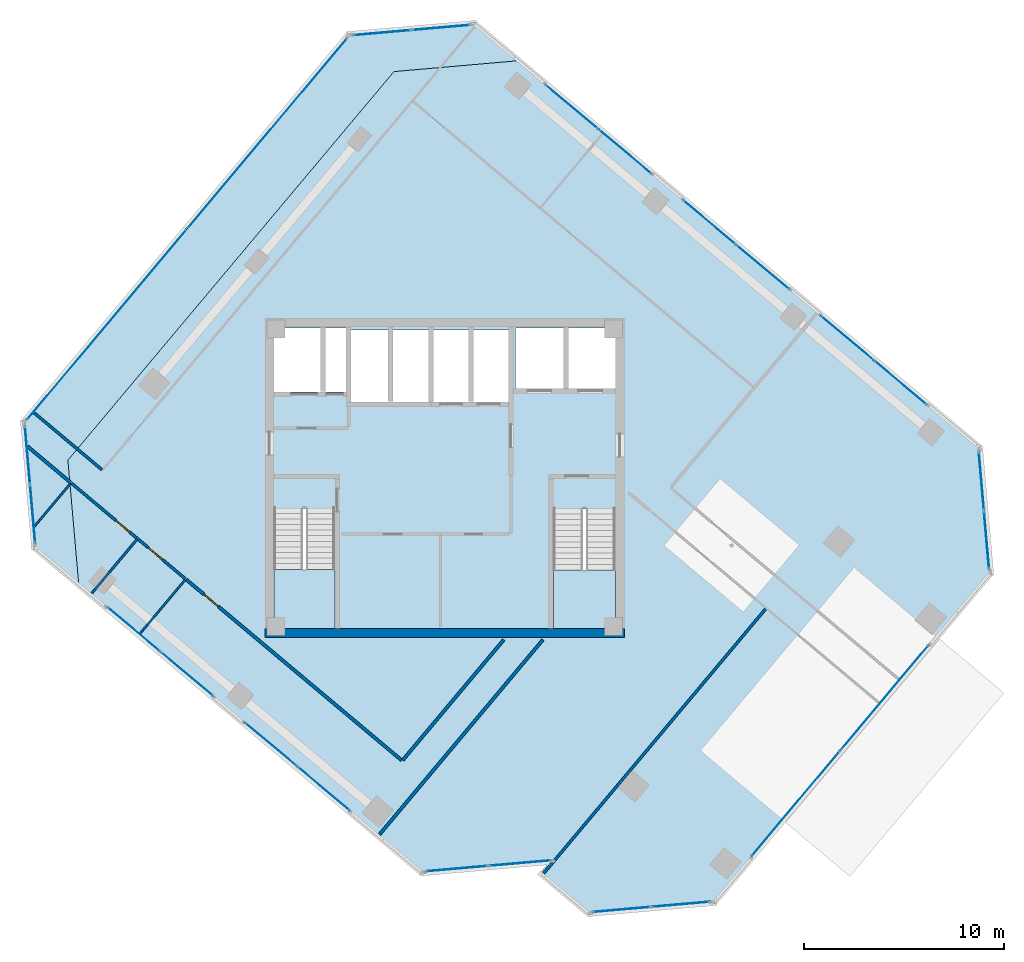
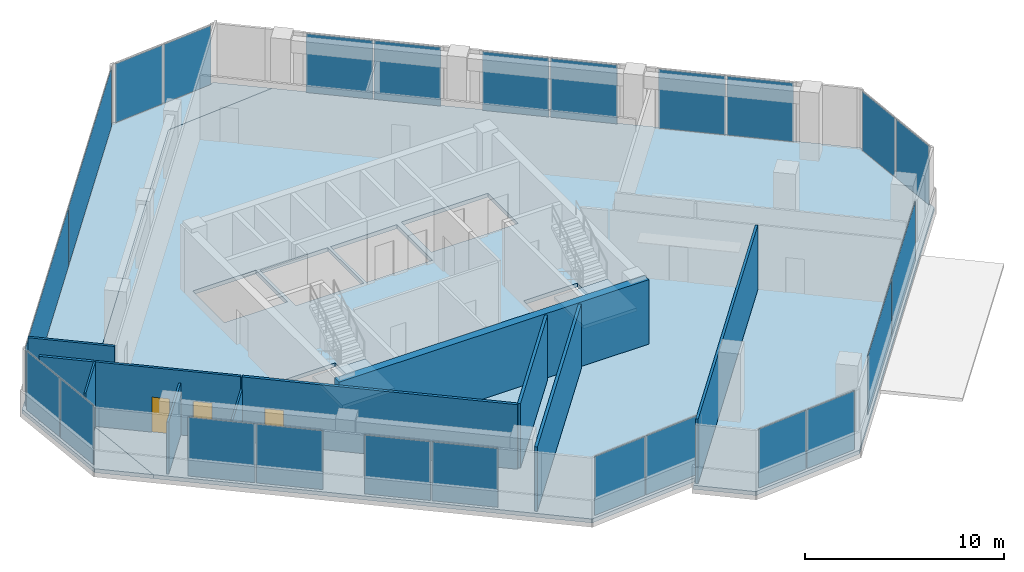
# One storey, part 11 of 17: 24 plates, 11 walls, 4 slabs, 3 doors, 3 openings, 14 elements without a shape of their own.
"""IFC4 building model written with IfcOpenShell, lengths in metres."""

from ifc_helpers import new_model, si_unit, direction, frame, frame_2d, origin, origin_2d, place, context, subcontext, project, spatial, polyline, rectangle, outline, extrude, source, transform, mapped, material, layer, layer_set, type_object, element, fill, aggregate, save


model = new_model("IFC4")

# Units and contexts
model_context = context("Model", 3, precision=1e-05, world=origin(), true_north=direction((0.0, 1.0)))
body_context = subcontext(model_context, "Body", "Model", "MODEL_VIEW")
ifc_project = project(units=[si_unit("LENGTHUNIT", "METRE"), si_unit("AREAUNIT", "SQUARE_METRE"), si_unit("VOLUMEUNIT", "CUBIC_METRE"), si_unit("PLANEANGLEUNIT", "RADIAN"), si_unit("MASSUNIT", "GRAM", prefix="KILO")], contexts=[model_context])

# Site, building, storey
site_placement = place(None, origin())
site = spatial("IfcSite", under=ifc_project, at=site_placement, CompositionType="ELEMENT")
building_placement = place(site_placement, origin())
building = spatial("IfcBuilding", under=site, at=building_placement, Name="Torre Montelarca", CompositionType="ELEMENT")
storey_placement = place(building_placement, frame((0.0, 0.0, 220.60009765625)))
storey = spatial("IfcBuildingStorey", under=building, at=storey_placement, Name="L49", CompositionType="ELEMENT", Elevation=220.60009765625)

# Slabs
ifc_material_1 = material(Name="Concrete C40/50", Category="concrete")
ifc_layer_1 = layer(ifc_material_1, 0.239990234375, Name="Concrete C40/50", Category="concrete")
ifc_layer_set_1 = layer_set([ifc_layer_1], Name="Concrete C40/50")
slab_type_1 = type_object("IfcSlabType", Name="SL-FLR-240", PredefinedType="FLOOR", material=ifc_layer_set_1)
slab_1_placement = place(storey_placement, frame((0.0, 0.0, -0.239990234375)))
element("IfcSlab", 1, at=slab_1_placement, inside=storey, type_object=slab_type_1, Name="L49 Structural Floor Slab", PredefinedType="FLOOR", context=body_context, shape_type="SweptSolid", body=[
    extrude(outline(polyline([(16.848876953125, 12.144287109375), (23.188720703125, 12.698974609375), (22.73876953125, 12.162841796875), (25.18994140625, 10.105712890625), (31.52978515625, 10.660400390625), (45.4140625, 27.20703125), (44.859375, 33.546875), (21.801513671875, 52.894775390625), (15.461669921875, 52.340087890625), (-0.865234375, 32.882568359375), (-0.310546875, 26.542724609375), (16.848876953125, 12.144287109375)]), holes=[polyline([(26.550048828125, 24.449951171875), (23.43994140625, 24.449951171875), (23.43994140625, 30.429931640625), (26.550048828125, 30.429931640625), (26.550048828125, 24.449951171875)]), polyline([(9.449951171875, 24.449951171875), (9.449951171875, 30.4599609375), (12.5, 30.4599609375), (12.5, 24.449951171875), (9.449951171875, 24.449951171875)]), polyline([(17.25, 35.800048828125), (13.300048828125, 35.800048828125), (13.300048828125, 39.39990234375), (17.25, 39.39990234375), (17.25, 35.800048828125)]), polyline([(21.25, 39.39990234375), (21.25, 35.800048828125), (17.39990234375, 35.800048828125), (17.39990234375, 39.39990234375), (21.25, 39.39990234375)]), polyline([(13.1201171875, 36.300048828125), (9.449951171875, 36.300048828125), (9.449951171875, 39.5), (13.1201171875, 39.5), (13.1201171875, 36.300048828125)]), polyline([(26.60009765625, 36.449951171875), (21.550048828125, 36.449951171875), (21.550048828125, 39.5), (26.60009765625, 39.5), (26.60009765625, 36.449951171875)])]), origin(), (0.0, 0.0, 1.0), 0.239990234375),
])
slab_2_placement = place(storey_placement, frame((0.0, 0.0, -0.239990234375)))
element("IfcSlab", 2, at=slab_2_placement, inside=storey, type_object=slab_type_1, Name="L49 Sliding Tray Winter Garden Floor Slab W1", PredefinedType="FLOOR", context=body_context, shape_type="SweptSolid", body=[
    extrude(outline(polyline([(-0.310546875, 26.542724609375), (-0.865234375, 32.882568359375), (15.461669921875, 52.340087890625), (21.801513671875, 52.894775390625), (19.503173828125, 54.822998046875), (13.16357421875, 54.268310546875), (-3.163330078125, 34.810791015625), (-2.608642578125, 28.47119140625), (-0.310546875, 26.542724609375)])), origin(), (0.0, 0.0, 1.0), 0.239990234375),
])

# Stair, slab
stair_type_1 = type_object("IfcStairType", Name="ST-CORE-ST1", PredefinedType="HALF_TURN_STAIR", material=ifc_material_1)
stair_1_placement = place(storey_placement, origin())
stair_1 = element("IfcStair", 3, at=stair_1_placement, inside=storey, type_object=stair_type_1, Name="L49 Protected Exit Stair ST1", PredefinedType="HALF_TURN_STAIR")
ifc_layer_2 = layer(ifc_material_1, 0.199951171875, Name="Concrete C40/50", Category="concrete")
ifc_layer_set_2 = layer_set([ifc_layer_2], Name="Concrete C40/50")
slab_type_2 = type_object("IfcSlabType", Name="SL-ST-LAND-ST1", PredefinedType="LANDING", material=ifc_layer_set_2)
slab_3_placement = place(storey_placement, frame((0.0, 0.0, 1.89990234375)))
slab_3 = element("IfcSlab", 4, at=slab_3_placement, type_object=slab_type_2, Name="ST1 landing 1", PredefinedType="LANDING", context=body_context, shape_type="SweptSolid", body=[
    extrude(outline(polyline([(9.449951171875, 27.419921875), (9.449951171875, 24.449951171875), (12.5, 24.449951171875), (12.5, 27.419921875), (9.449951171875, 27.419921875)])), origin(), (0.0, 0.0, 1.0), 0.199951171875),
])
aggregate(stair_1, [slab_3])

stair_type_2 = type_object("IfcStairType", Name="ST-CORE-ST2", PredefinedType="HALF_TURN_STAIR", material=ifc_material_1)
stair_2_placement = place(storey_placement, origin())
stair_2 = element("IfcStair", 5, at=stair_2_placement, inside=storey, type_object=stair_type_2, Name="L49 Protected Exit Stair ST2", PredefinedType="HALF_TURN_STAIR")
ifc_layer_3 = layer(ifc_material_1, 0.199951171875, Name="Concrete C40/50", Category="concrete")
ifc_layer_set_3 = layer_set([ifc_layer_3], Name="Concrete C40/50")
slab_type_3 = type_object("IfcSlabType", Name="SL-ST-LAND-ST2", PredefinedType="LANDING", material=ifc_layer_set_3)
slab_4_placement = place(storey_placement, frame((0.0, 0.0, 1.89990234375)))
slab_4 = element("IfcSlab", 6, at=slab_4_placement, type_object=slab_type_3, Name="ST2 landing 1", PredefinedType="LANDING", context=body_context, shape_type="SweptSolid", body=[
    extrude(outline(polyline([(23.43994140625, 27.389892578125), (23.43994140625, 24.449951171875), (26.550048828125, 24.449951171875), (26.550048828125, 27.389892578125), (23.43994140625, 27.389892578125)])), origin(), (0.0, 0.0, 1.0), 0.199951171875),
])
aggregate(stair_2, [slab_4])

# Curtain wall, plates
ifc_material_2 = material(Name="Insulated low-E laminated glass", Category="glass")
curtain_wall_type = type_object("IfcCurtainWallType", Name="CW-SYS-Z3", PredefinedType="USERDEFINED", material=ifc_material_2)
curtain_wall_1_placement = place(storey_placement, origin())
curtain_wall_1 = element("IfcCurtainWall", 7, at=curtain_wall_1_placement, inside=storey, type_object=curtain_wall_type, Name="L49 Curtain Wall Run CW-T3-L49-E01-B1", ObjectType="UNITISED GLAZING", PredefinedType="USERDEFINED")
ifc_layer_4 = layer(ifc_material_2, 0.031982421875, Name="Insulated low-E laminated glass", Category="glass")
ifc_layer_set_4 = layer_set([ifc_layer_4], Name="Insulated low-E laminated glass")
plate_type = type_object("IfcPlateType", Name="CWP-GLZ-32", PredefinedType="CURTAIN_PANEL", material=ifc_layer_set_4)
shared_shape_1 = source(origin(), body_context, "Body", "SweptSolid", [
    extrude(rectangle(XDim=3.407470703125, YDim=0.031982421875, at=origin_2d()), origin(), (0.0, 0.0, 1.0), 3.610107421875),
])
plate_1_placement = place(storey_placement, frame((2.422607421875, 24.419189453125, 0.0546875), z_axis=(0.0, 0.0, 1.0), x_axis=(0.766043072274, -0.642789243392, 0.0)))
plate_1 = element("IfcPlate", 8, at=plate_1_placement, type_object=plate_type, Name="CW panel 1.1", PredefinedType="CURTAIN_PANEL", context=body_context, shape_type="MappedRepresentation", body=[
    mapped(shared_shape_1, transform((0.0, 0.0, 0.0), scale=1.0)),
])
plate_2_placement = place(storey_placement, frame((5.09033203125, 22.1806640625, 0.0546875), z_axis=(0.0, 0.0, 1.0), x_axis=(0.766043072274, -0.642789243392, 0.0)))
plate_2 = element("IfcPlate", 9, at=plate_2_placement, type_object=plate_type, Name="CW panel 2.1", PredefinedType="CURTAIN_PANEL", context=body_context, shape_type="MappedRepresentation", body=[
    mapped(shared_shape_1, transform((0.0, 0.0, 0.0), scale=1.0)),
])
aggregate(curtain_wall_1, [plate_1, plate_2])

curtain_wall_2_placement = place(storey_placement, origin())
curtain_wall_2 = element("IfcCurtainWall", 10, at=curtain_wall_2_placement, inside=storey, type_object=curtain_wall_type, Name="L49 Curtain Wall Run CW-T3-L49-E08-B1", ObjectType="UNITISED GLAZING", PredefinedType="USERDEFINED")
plate_3_placement = place(storey_placement, frame((40.823974609375, 36.76318359375, 0.0546875), z_axis=(0.0, 0.0, 1.0), x_axis=(-0.766043072274, 0.642789243392, 0.0)))
plate_3 = element("IfcPlate", 11, at=plate_3_placement, type_object=plate_type, Name="CW panel 1.1", PredefinedType="CURTAIN_PANEL", context=body_context, shape_type="MappedRepresentation", body=[
    mapped(shared_shape_1, transform((0.0, 0.0, 0.0), scale=1.0)),
])
plate_4_placement = place(storey_placement, frame((38.15625, 39.001708984375, 0.0546875), z_axis=(0.0, 0.0, 1.0), x_axis=(-0.766043072274, 0.642789243392, 0.0)))
plate_4 = element("IfcPlate", 12, at=plate_4_placement, type_object=plate_type, Name="CW panel 2.1", PredefinedType="CURTAIN_PANEL", context=body_context, shape_type="MappedRepresentation", body=[
    mapped(shared_shape_1, transform((0.0, 0.0, 0.0), scale=1.0)),
])
aggregate(curtain_wall_2, [plate_3, plate_4])

curtain_wall_3_placement = place(storey_placement, origin())
curtain_wall_3 = element("IfcCurtainWall", 13, at=curtain_wall_3_placement, inside=storey, type_object=curtain_wall_type, Name="L49 Curtain Wall Run CW-T3-L49-E08-B2", ObjectType="UNITISED GLAZING", PredefinedType="USERDEFINED")
plate_5_placement = place(storey_placement, frame((33.929443359375, 42.54833984375, 0.0546875), z_axis=(0.0, 0.0, 1.0), x_axis=(-0.766043072274, 0.642789243392, 0.0)))
plate_5 = element("IfcPlate", 14, at=plate_5_placement, type_object=plate_type, Name="CW panel 1.1", PredefinedType="CURTAIN_PANEL", context=body_context, shape_type="MappedRepresentation", body=[
    mapped(shared_shape_1, transform((0.0, 0.0, 0.0), scale=1.0)),
])
plate_6_placement = place(storey_placement, frame((31.26171875, 44.786865234375, 0.0546875), z_axis=(0.0, 0.0, 1.0), x_axis=(-0.766043072274, 0.642789243392, 0.0)))
plate_6 = element("IfcPlate", 15, at=plate_6_placement, type_object=plate_type, Name="CW panel 2.1", PredefinedType="CURTAIN_PANEL", context=body_context, shape_type="MappedRepresentation", body=[
    mapped(shared_shape_1, transform((0.0, 0.0, 0.0), scale=1.0)),
])
aggregate(curtain_wall_3, [plate_5, plate_6])

curtain_wall_4_placement = place(storey_placement, origin())
curtain_wall_4 = element("IfcCurtainWall", 16, at=curtain_wall_4_placement, inside=storey, type_object=curtain_wall_type, Name="L49 Curtain Wall Run CW-T3-L49-E08-B3", ObjectType="UNITISED GLAZING", PredefinedType="USERDEFINED")
plate_7_placement = place(storey_placement, frame((27.03515625, 48.333251953125, 0.0546875), z_axis=(0.0, 0.0, 1.0), x_axis=(-0.766043072274, 0.642789243392, 0.0)))
plate_7 = element("IfcPlate", 17, at=plate_7_placement, type_object=plate_type, Name="CW panel 1.1", PredefinedType="CURTAIN_PANEL", context=body_context, shape_type="MappedRepresentation", body=[
    mapped(shared_shape_1, transform((0.0, 0.0, 0.0), scale=1.0)),
])
plate_8_placement = place(storey_placement, frame((24.367431640625, 50.57177734375, 0.0546875), z_axis=(0.0, 0.0, 1.0), x_axis=(-0.766043072274, 0.642789243392, 0.0)))
plate_8 = element("IfcPlate", 18, at=plate_8_placement, type_object=plate_type, Name="CW panel 2.1", PredefinedType="CURTAIN_PANEL", context=body_context, shape_type="MappedRepresentation", body=[
    mapped(shared_shape_1, transform((0.0, 0.0, 0.0), scale=1.0)),
])
aggregate(curtain_wall_4, [plate_7, plate_8])

curtain_wall_5_placement = place(storey_placement, origin())
curtain_wall_5 = element("IfcCurtainWall", 19, at=curtain_wall_5_placement, inside=storey, type_object=curtain_wall_type, Name="L49 Curtain Wall Run CW-T3-L49-E01-B2", ObjectType="UNITISED GLAZING", PredefinedType="USERDEFINED")
shared_shape_2 = source(origin(), body_context, "Body", "SweptSolid", [
    extrude(rectangle(XDim=3.3701171875, YDim=0.031982421875, at=origin_2d()), origin(), (0.0, 0.0, 1.0), 3.610107421875),
])
plate_9_placement = place(storey_placement, frame((9.302734375, 18.64599609375, 0.0546875), z_axis=(0.0, 0.0, 1.0), x_axis=(0.766045580072, -0.642786254716, 0.0)))
plate_9 = element("IfcPlate", 20, at=plate_9_placement, type_object=plate_type, Name="CW panel 1.1", PredefinedType="CURTAIN_PANEL", context=body_context, shape_type="MappedRepresentation", body=[
    mapped(shared_shape_2, transform((0.0, 0.0, 0.0), scale=1.0)),
])
plate_10_placement = place(storey_placement, frame((11.941650390625, 16.431640625, 0.0546875), z_axis=(0.0, 0.0, 1.0), x_axis=(0.766045580072, -0.642786254716, 0.0)))
plate_10 = element("IfcPlate", 21, at=plate_10_placement, type_object=plate_type, Name="CW panel 2.1", PredefinedType="CURTAIN_PANEL", context=body_context, shape_type="MappedRepresentation", body=[
    mapped(shared_shape_2, transform((0.0, 0.0, 0.0), scale=1.0)),
])
aggregate(curtain_wall_5, [plate_9, plate_10])

curtain_wall_6_placement = place(storey_placement, origin())
curtain_wall_6 = element("IfcCurtainWall", 22, at=curtain_wall_6_placement, inside=storey, type_object=curtain_wall_type, Name="L49 Curtain Wall Run CW-T3-L49-E02-B1", ObjectType="UNITISED GLAZING", PredefinedType="USERDEFINED")
shared_shape_3 = source(origin(), body_context, "Body", "SweptSolid", [
    extrude(rectangle(XDim=3.08740234375, YDim=0.031982421875, at=origin_2d()), origin(), (0.0, 0.0, 1.0), 3.610107421875),
])
plate_11_placement = place(storey_placement, frame((18.615234375, 12.429443359375, 0.0546875), z_axis=(0.0, 0.0, 1.0), x_axis=(0.996191766808, 0.087189240987, 0.0)))
plate_11 = element("IfcPlate", 23, at=plate_11_placement, type_object=plate_type, Name="CW panel 1.1", PredefinedType="CURTAIN_PANEL", context=body_context, shape_type="MappedRepresentation", body=[
    mapped(shared_shape_3, transform((0.0, 0.0, 0.0), scale=1.0)),
])
plate_12_placement = place(storey_placement, frame((21.765625, 12.705078125, 0.0546875), z_axis=(0.0, 0.0, 1.0), x_axis=(0.996191766808, 0.087189240987, 0.0)))
plate_12 = element("IfcPlate", 24, at=plate_12_placement, type_object=plate_type, Name="CW panel 2.1", PredefinedType="CURTAIN_PANEL", context=body_context, shape_type="MappedRepresentation", body=[
    mapped(shared_shape_3, transform((0.0, 0.0, 0.0), scale=1.0)),
])
aggregate(curtain_wall_6, [plate_11, plate_12])

curtain_wall_7_placement = place(storey_placement, origin())
curtain_wall_7 = element("IfcCurtainWall", 25, at=curtain_wall_7_placement, inside=storey, type_object=curtain_wall_type, Name="L49 Curtain Wall Run CW-T3-L49-E05-B1", ObjectType="UNITISED GLAZING", PredefinedType="USERDEFINED")
shared_shape_4 = source(origin(), body_context, "Body", "SweptSolid", [
    extrude(rectangle(XDim=2.903564453125, YDim=0.031982421875, at=origin_2d()), origin(), (0.0, 0.0, 1.0), 3.610107421875),
])
plate_13_placement = place(storey_placement, frame((26.864990234375, 10.3828125, 0.0546875), z_axis=(0.0, 0.0, 1.0), x_axis=(0.996192475817, 0.087181139731, 0.0)))
plate_13 = element("IfcPlate", 26, at=plate_13_placement, type_object=plate_type, Name="CW panel 1.1", PredefinedType="CURTAIN_PANEL", context=body_context, shape_type="MappedRepresentation", body=[
    mapped(shared_shape_4, transform((0.0, 0.0, 0.0), scale=1.0)),
])
plate_14_placement = place(storey_placement, frame((29.832275390625, 10.642578125, 0.0546875), z_axis=(0.0, 0.0, 1.0), x_axis=(0.996192475817, 0.087181139731, 0.0)))
plate_14 = element("IfcPlate", 27, at=plate_14_placement, type_object=plate_type, Name="CW panel 2.1", PredefinedType="CURTAIN_PANEL", context=body_context, shape_type="MappedRepresentation", body=[
    mapped(shared_shape_4, transform((0.0, 0.0, 0.0), scale=1.0)),
])
aggregate(curtain_wall_7, [plate_13, plate_14])

curtain_wall_8_placement = place(storey_placement, origin())
curtain_wall_8 = element("IfcCurtainWall", 28, at=curtain_wall_8_placement, inside=storey, type_object=curtain_wall_type, Name="L49 Curtain Wall Run CW-T3-L49-E07-B1", ObjectType="UNITISED GLAZING", PredefinedType="USERDEFINED")
plate_15_placement = place(storey_placement, frame((45.136962890625, 28.882080078125, 0.0546875), z_axis=(0.0, 0.0, 1.0), x_axis=(-0.087182579501, 0.996192349816, 0.0)))
plate_15 = element("IfcPlate", 29, at=plate_15_placement, type_object=plate_type, Name="CW panel 1.1", PredefinedType="CURTAIN_PANEL", context=body_context, shape_type="MappedRepresentation", body=[
    mapped(shared_shape_4, transform((0.0, 0.0, 0.0), scale=1.0)),
])
plate_16_placement = place(storey_placement, frame((44.877197265625, 31.84912109375, 0.0546875), z_axis=(0.0, 0.0, 1.0), x_axis=(-0.087182579501, 0.996192349816, 0.0)))
plate_16 = element("IfcPlate", 30, at=plate_16_placement, type_object=plate_type, Name="CW panel 2.1", PredefinedType="CURTAIN_PANEL", context=body_context, shape_type="MappedRepresentation", body=[
    mapped(shared_shape_4, transform((0.0, 0.0, 0.0), scale=1.0)),
])
aggregate(curtain_wall_8, [plate_15, plate_16])

curtain_wall_9_placement = place(storey_placement, origin())
curtain_wall_9 = element("IfcCurtainWall", 31, at=curtain_wall_9_placement, inside=storey, type_object=curtain_wall_type, Name="L49 Curtain Wall Run CW-T3-L49-E09-B1", ObjectType="UNITISED GLAZING", PredefinedType="USERDEFINED")
plate_17_placement = place(storey_placement, frame((17.828369140625, 54.546142578125, 0.0546875), z_axis=(0.0, 0.0, 1.0), x_axis=(-0.996192349816, -0.087182579501, 0.0)))
plate_17 = element("IfcPlate", 32, at=plate_17_placement, type_object=plate_type, Name="CW panel 1.1", PredefinedType="CURTAIN_PANEL", context=body_context, shape_type="MappedRepresentation", body=[
    mapped(shared_shape_4, transform((0.0, 0.0, 0.0), scale=1.0)),
])
plate_18_placement = place(storey_placement, frame((14.861083984375, 54.286376953125, 0.0546875), z_axis=(0.0, 0.0, 1.0), x_axis=(-0.996192349816, -0.087182579501, 0.0)))
plate_18 = element("IfcPlate", 33, at=plate_18_placement, type_object=plate_type, Name="CW panel 2.1", PredefinedType="CURTAIN_PANEL", context=body_context, shape_type="MappedRepresentation", body=[
    mapped(shared_shape_4, transform((0.0, 0.0, 0.0), scale=1.0)),
])
aggregate(curtain_wall_9, [plate_17, plate_18])

curtain_wall_10_placement = place(storey_placement, origin())
curtain_wall_10 = element("IfcCurtainWall", 34, at=curtain_wall_10_placement, inside=storey, type_object=curtain_wall_type, Name="L49 Curtain Wall Run CW-T3-L49-E11-B1", ObjectType="UNITISED GLAZING", PredefinedType="USERDEFINED")
plate_19_placement = place(storey_placement, frame((-2.88623046875, 33.135986328125, 0.0546875), z_axis=(0.0, 0.0, 1.0), x_axis=(0.087166127681, -0.996193789473, 0.0)))
plate_19 = element("IfcPlate", 35, at=plate_19_placement, type_object=plate_type, Name="CW panel 1.1", PredefinedType="CURTAIN_PANEL", context=body_context, shape_type="MappedRepresentation", body=[
    mapped(shared_shape_4, transform((0.0, 0.0, 0.0), scale=1.0)),
])
plate_20_placement = place(storey_placement, frame((-2.626708984375, 30.168701171875, 0.0546875), z_axis=(0.0, 0.0, 1.0), x_axis=(0.087166127681, -0.996193789473, 0.0)))
plate_20 = element("IfcPlate", 36, at=plate_20_placement, type_object=plate_type, Name="CW panel 2.1", PredefinedType="CURTAIN_PANEL", context=body_context, shape_type="MappedRepresentation", body=[
    mapped(shared_shape_4, transform((0.0, 0.0, 0.0), scale=1.0)),
])
aggregate(curtain_wall_10, [plate_19, plate_20])

curtain_wall_11_placement = place(storey_placement, origin())
curtain_wall_11 = element("IfcCurtainWall", 37, at=curtain_wall_11_placement, inside=storey, type_object=curtain_wall_type, Name="L49 Curtain Wall Run CW-T3-L49-E06-B1", ObjectType="UNITISED GLAZING", PredefinedType="USERDEFINED")
shared_shape_5 = source(origin(), body_context, "Body", "SweptSolid", [
    extrude(rectangle(XDim=6.83251953125, YDim=0.031982421875, at=origin_2d()), origin(), (0.0, 0.0, 1.0), 3.610107421875),
])
plate_21_placement = place(storey_placement, frame((35.57373046875, 15.68212890625, 0.0546875), z_axis=(0.0, 0.0, 1.0), x_axis=(0.642785255815, 0.766046418245, 0.0)))
plate_21 = element("IfcPlate", 38, at=plate_21_placement, type_object=plate_type, Name="CW panel 1.1", PredefinedType="CURTAIN_PANEL", context=body_context, shape_type="MappedRepresentation", body=[
    mapped(shared_shape_5, transform((0.0, 0.0, 0.0), scale=1.0)),
])
plate_22_placement = place(storey_placement, frame((40.013671875, 20.9736328125, 0.0546875), z_axis=(0.0, 0.0, 1.0), x_axis=(0.642785255815, 0.766046418245, 0.0)))
plate_22 = element("IfcPlate", 39, at=plate_22_placement, type_object=plate_type, Name="CW panel 2.1", PredefinedType="CURTAIN_PANEL", context=body_context, shape_type="MappedRepresentation", body=[
    mapped(shared_shape_5, transform((0.0, 0.0, 0.0), scale=1.0)),
])
aggregate(curtain_wall_11, [plate_21, plate_22])

curtain_wall_12_placement = place(storey_placement, origin())
curtain_wall_12 = element("IfcCurtainWall", 40, at=curtain_wall_12_placement, inside=storey, type_object=curtain_wall_type, Name="L49 Curtain Wall Run CW-T3-L49-E10-B1", ObjectType="UNITISED GLAZING", PredefinedType="USERDEFINED")
shared_shape_6 = source(origin(), body_context, "Body", "SweptSolid", [
    extrude(rectangle(XDim=12.421630859375, YDim=0.031982421875, at=origin_2d()), origin(), (0.0, 0.0, 1.0), 3.610107421875),
])
plate_23_placement = place(storey_placement, frame((9.115966796875, 49.24267578125, 0.0546875), z_axis=(0.0, 0.0, 1.0), x_axis=(-0.642788408931, -0.766043772472, 0.0)))
plate_23 = element("IfcPlate", 41, at=plate_23_placement, type_object=plate_type, Name="CW panel 1.1", PredefinedType="CURTAIN_PANEL", context=body_context, shape_type="MappedRepresentation", body=[
    mapped(shared_shape_6, transform((0.0, 0.0, 0.0), scale=1.0)),
])
plate_24_placement = place(storey_placement, frame((1.083251953125, 39.669677734375, 0.0546875), z_axis=(0.0, 0.0, 1.0), x_axis=(-0.642788408931, -0.766043772472, 0.0)))
plate_24 = element("IfcPlate", 42, at=plate_24_placement, type_object=plate_type, Name="CW panel 2.1", PredefinedType="CURTAIN_PANEL", context=body_context, shape_type="MappedRepresentation", body=[
    mapped(shared_shape_6, transform((0.0, 0.0, 0.0), scale=1.0)),
])
aggregate(curtain_wall_12, [plate_23, plate_24])

# Walls
ifc_material_3 = material(Name="Concrete C55/67", Category="concrete")
ifc_layer_5 = layer(ifc_material_3, 0.449951171875, Name="Concrete C55/67", Category="concrete")
ifc_layer_set_5 = layer_set([ifc_layer_5], Name="Concrete C55/67")
wall_type_1 = type_object("IfcWallType", Name="CW-SHEAR-450", PredefinedType="SHEAR", material=ifc_layer_set_5)
wall_1_placement = place(storey_placement, frame((9.0, 24.22509765625, 0.0), z_axis=(0.0, 0.0, 1.0), x_axis=(1.0, 0.0, 0.0)))
element("IfcWall", 43, at=wall_1_placement, inside=storey, type_object=wall_type_1, Name="L49 Core Shear Wall CW-S1", PredefinedType="SHEAR", context=body_context, shape_type="SweptSolid", body=[
    extrude(rectangle(XDim=18.0, YDim=0.449951171875, at=frame_2d((9.0, 0.0))), origin(), (0.0, 0.0, 1.0), 3.9599609375),
])
ifc_material_4 = material(Name="Gypsum plasterboard on steel stud", Category="steel")
ifc_layer_6 = layer(ifc_material_4, 0.159912109375, Name="Gypsum plasterboard on steel stud", Category="steel")
ifc_layer_set_6 = layer_set([ifc_layer_6], Name="Gypsum plasterboard on steel stud")
wall_type_2 = type_object("IfcWallType", Name="PW-FIRE-160", PredefinedType="PARTITIONING", material=ifc_layer_set_6)
wall_2_placement = place(storey_placement, frame((-2.885986328125, 33.572998046875, 0.0), z_axis=(0.0, 0.0, 1.0), x_axis=(0.766060058075, -0.642769000048, 0.0)))
element("IfcWall", 44, at=wall_2_placement, inside=storey, type_object=wall_type_2, Name="L49 Interior Partition W-L49-SOCCW", PredefinedType="PARTITIONING", context=body_context, shape_type="SweptSolid", body=[
    extrude(rectangle(XDim=2.802001953125, YDim=0.159912109375, at=frame_2d((1.40087890625, 0.0))), origin(), (0.0, 0.0, 1.0), 3.9599609375),
])

# Wall, opening, door
wall_3_placement = place(storey_placement, frame((5.06689453125, 26.899658203125, 0.0), z_axis=(0.0, 0.0, 1.0), x_axis=(0.766049317662, -0.642781800387, 0.0)))
wall_3 = element("IfcWall", 45, at=wall_3_placement, inside=storey, type_object=wall_type_2, Name="L49 Interior Partition W-L49-SOCCN", PredefinedType="PARTITIONING", context=body_context, shape_type="SweptSolid", body=[
    extrude(rectangle(XDim=14.070068359375, YDim=0.159912109375, at=frame_2d((7.03515625, 0.0))), origin(), (0.0, 0.0, 1.0), 3.9599609375),
])
opening_1_placement = place(wall_3_placement, frame((1.14990234375, 0.0, 0.0)))
opening_1 = element("IfcOpeningElement", 46, at=opening_1_placement, cuts=wall_3, Name="Opening FD-095", PredefinedType="OPENING", context=body_context, shape_type="SweptSolid", body=[
    extrude(rectangle(XDim=0.949951171875, YDim=2.14990234375, at=frame_2d((0.47509765625, 1.074951171875))), frame((0.0, 0.08984375, 0.0), z_axis=(0.0, -1.0, 0.0), x_axis=(1.0, 0.0, 0.0)), (0.0, 0.0, 1.0), 0.179931640625),
])
ifc_material_5 = material(Name="Timber fire-rated room door", Category="wood")
door_type_1 = type_object("IfcDoorType", Name="DR-FIRE-095", OperationType="NOTDEFINED", PredefinedType="DOOR", material=ifc_material_5)
shared_shape_7 = source(origin(), body_context, "Body", "SweptSolid", [
    extrude(rectangle(XDim=0.949951171875, YDim=2.14990234375, at=frame_2d((0.47509765625, 1.074951171875))), frame((0.0, 0.02490234375, 0.0), z_axis=(0.0, -1.0, 0.0), x_axis=(1.0, 0.0, 0.0)), (0.0, 0.0, 1.0), 0.050048828125),
])
door_1_placement = place(opening_1_placement, origin())
door_1 = element("IfcDoor", 47, at=door_1_placement, inside=storey, type_object=door_type_1, Name="L49 Interior Door 06", OperationType="SINGLE_SWING_RIGHT", OverallHeight=2.14990234375, OverallWidth=0.949951171875, PredefinedType="DOOR", context=body_context, shape_type="MappedRepresentation", body=[
    mapped(shared_shape_7, transform((0.0, 0.0, 0.0), scale=1.0)),
])
fill(opening_1, door_1)

# Walls
wall_4_placement = place(storey_placement, frame((15.901611328125, 17.860595703125, 0.0), z_axis=(0.0, 0.0, 1.0), x_axis=(0.642774387864, 0.766055537351, 0.0)))
element("IfcWall", 48, at=wall_4_placement, inside=storey, type_object=wall_type_2, Name="L49 Interior Partition W-L49-SOCCW3", PredefinedType="PARTITIONING", context=body_context, shape_type="SweptSolid", body=[
    extrude(rectangle(XDim=7.869873046875, YDim=0.159912109375, at=frame_2d((3.93505859375, 0.0))), origin(), (0.0, 0.0, 1.0), 3.9599609375),
])
wall_5_placement = place(storey_placement, frame((14.742919921875, 14.146240234375, 0.0), z_axis=(0.0, 0.0, 1.0), x_axis=(0.642789996784, 0.7660424401, 0.0)))
element("IfcWall", 49, at=wall_5_placement, inside=storey, type_object=wall_type_2, Name="L49 Interior Partition W-L49-ECS", PredefinedType="PARTITIONING", context=body_context, shape_type="SweptSolid", body=[
    extrude(rectangle(XDim=12.71875, YDim=0.159912109375, at=frame_2d((6.359375, 0.0))), origin(), (0.0, 0.0, 1.0), 3.9599609375),
])
ifc_material_6 = material(Name="Acoustic laminated glass partition", Category="glass")
ifc_layer_7 = layer(ifc_material_6, 0.10009765625, Name="Acoustic laminated glass partition", Category="glass")
ifc_layer_set_7 = layer_set([ifc_layer_7], Name="Acoustic laminated glass partition")
wall_type_3 = type_object("IfcWallType", Name="PW-GLAZ-100", PredefinedType="PARTITIONING", material=ifc_layer_set_7)
wall_6_placement = place(storey_placement, frame((-2.535888671875, 29.569091796875, 0.0), z_axis=(0.0, 0.0, 1.0), x_axis=(0.642777228426, 0.766053153911, 0.0)))
element("IfcWall", 50, at=wall_6_placement, inside=storey, type_object=wall_type_3, Name="L49 Interior Partition W-L49-WCW", PredefinedType="PARTITIONING", context=body_context, shape_type="SweptSolid", body=[
    extrude(rectangle(XDim=2.80224609375, YDim=0.10009765625, at=frame_2d((1.401123046875, 0.0))), origin(), (0.0, 0.0, 1.0), 3.9599609375),
])
wall_7_placement = place(storey_placement, frame((2.75439453125, 24.205810546875, 0.0), z_axis=(0.0, 0.0, 1.0), x_axis=(0.642753187144, 0.766073325744, 0.0)))
element("IfcWall", 51, at=wall_7_placement, inside=storey, type_object=wall_type_3, Name="L49 Interior Partition W-L49-SWCDIV", PredefinedType="PARTITIONING", context=body_context, shape_type="SweptSolid", body=[
    extrude(rectangle(XDim=3.510009765625, YDim=0.10009765625, at=frame_2d((1.7548828125, 0.0))), origin(), (0.0, 0.0, 1.0), 3.19482421875),
])
ifc_layer_8 = layer(ifc_material_4, 0.114990234375, Name="Gypsum plasterboard on steel stud", Category="steel")
ifc_layer_set_8 = layer_set([ifc_layer_8], Name="Gypsum plasterboard on steel stud")
wall_type_4 = type_object("IfcWallType", Name="PW-PART-115", PredefinedType="PARTITIONING", material=ifc_layer_set_8)
wall_8_placement = place(storey_placement, frame((0.34130859375, 26.230712890625, 0.0), z_axis=(0.0, 0.0, 1.0), x_axis=(0.642794003744, 0.766039077822, 0.0)))
element("IfcWall", 52, at=wall_8_placement, inside=storey, type_object=wall_type_4, Name="L49 Interior Partition W-L49-WCD", PredefinedType="PARTITIONING", context=body_context, shape_type="SweptSolid", body=[
    extrude(rectangle(XDim=3.51025390625, YDim=0.114990234375, at=frame_2d((1.755126953125, 0.0))), origin(), (0.0, 0.0, 1.0), 3.19482421875),
])

# Wall, openings, doors
ifc_layer_9 = layer(ifc_material_4, 0.135009765625, Name="Gypsum plasterboard on steel stud", Category="steel")
ifc_layer_set_9 = layer_set([ifc_layer_9], Name="Gypsum plasterboard on steel stud")
wall_type_5 = type_object("IfcWallType", Name="PW-PART-135", PredefinedType="PARTITIONING", material=ifc_layer_set_9)
wall_9_placement = place(storey_placement, frame((-0.678466796875, 31.720703125, 0.0), z_axis=(0.0, 0.0, 1.0), x_axis=(0.766043108328, -0.642789200425, 0.0)))
wall_9 = element("IfcWall", 53, at=wall_9_placement, inside=storey, type_object=wall_type_5, Name="L49 Interior Partition W-L49-WCN", PredefinedType="PARTITIONING", context=body_context, shape_type="SweptSolid", body=[
    extrude(rectangle(XDim=7.420166015625, YDim=0.135009765625, at=frame_2d((3.7099609375, 0.0))), origin(), (0.0, 0.0, 1.0), 3.9599609375),
])
opening_2_placement = place(wall_9_placement, frame((2.89990234375, 0.0, 0.0)))
opening_2 = element("IfcOpeningElement", 54, at=opening_2_placement, cuts=wall_9, Name="Opening ID-090", PredefinedType="OPENING", context=body_context, shape_type="SweptSolid", body=[
    extrude(rectangle(XDim=0.89990234375, YDim=2.14990234375, at=frame_2d((0.449951171875, 1.074951171875))), frame((0.0, 0.07763671875, 0.0), z_axis=(0.0, -1.0, 0.0), x_axis=(1.0, 0.0, 0.0)), (0.0, 0.0, 1.0), 0.155029296875),
])
opening_3_placement = place(wall_9_placement, frame((5.0, 0.0, 0.0)))
opening_3 = element("IfcOpeningElement", 55, at=opening_3_placement, cuts=wall_9, Name="Opening ID-095", PredefinedType="OPENING", context=body_context, shape_type="SweptSolid", body=[
    extrude(rectangle(XDim=0.949951171875, YDim=2.14990234375, at=frame_2d((0.47509765625, 1.074951171875))), frame((0.0, 0.07763671875, 0.0), z_axis=(0.0, -1.0, 0.0), x_axis=(1.0, 0.0, 0.0)), (0.0, 0.0, 1.0), 0.155029296875),
])
ifc_material_7 = material(Name="Hardwood acoustic timber veneer", Category="wood")
door_type_2 = type_object("IfcDoorType", Name="DR-INT-090", OperationType="NOTDEFINED", PredefinedType="DOOR", material=ifc_material_7)
shared_shape_8 = source(origin(), body_context, "Body", "SweptSolid", [
    extrude(rectangle(XDim=0.89990234375, YDim=2.14990234375, at=frame_2d((0.449951171875, 1.074951171875))), frame((0.0, 0.02490234375, 0.0), z_axis=(0.0, -1.0, 0.0), x_axis=(1.0, 0.0, 0.0)), (0.0, 0.0, 1.0), 0.050048828125),
])
door_2_placement = place(opening_2_placement, origin())
door_2 = element("IfcDoor", 56, at=door_2_placement, inside=storey, type_object=door_type_2, Name="L49 Interior Door 04", OperationType="SINGLE_SWING_LEFT", OverallHeight=2.14990234375, OverallWidth=0.89990234375, PredefinedType="DOOR", context=body_context, shape_type="MappedRepresentation", body=[
    mapped(shared_shape_8, transform((0.0, 0.0, 0.0), scale=1.0)),
])
fill(opening_2, door_2)
door_type_3 = type_object("IfcDoorType", Name="DR-INT-095", OperationType="NOTDEFINED", PredefinedType="DOOR", material=ifc_material_7)
shared_shape_9 = source(origin(), body_context, "Body", "SweptSolid", [
    extrude(rectangle(XDim=0.949951171875, YDim=2.14990234375, at=frame_2d((0.47509765625, 1.074951171875))), frame((0.0, 0.02490234375, 0.0), z_axis=(0.0, -1.0, 0.0), x_axis=(1.0, 0.0, 0.0)), (0.0, 0.0, 1.0), 0.050048828125),
])
door_3_placement = place(opening_3_placement, origin())
door_3 = element("IfcDoor", 57, at=door_3_placement, inside=storey, type_object=door_type_3, Name="L49 Interior Door 05", OperationType="SINGLE_SWING_RIGHT", OverallHeight=2.14990234375, OverallWidth=0.949951171875, PredefinedType="DOOR", context=body_context, shape_type="MappedRepresentation", body=[
    mapped(shared_shape_9, transform((0.0, 0.0, 0.0), scale=1.0)),
])
fill(opening_3, door_3)

# Walls
wall_10_placement = place(storey_placement, frame((-2.55615234375, 35.25439453125, 0.0), z_axis=(0.0, 0.0, 1.0), x_axis=(0.76603046424, -0.642804268698, 0.0)))
element("IfcWall", 58, at=wall_10_placement, inside=storey, type_object=wall_type_5, Name="L49 Interior Partition W-L49-WWGS", PredefinedType="PARTITIONING", context=body_context, shape_type="SweptSolid", body=[
    extrude(rectangle(XDim=4.429931640625, YDim=0.135009765625, at=frame_2d((2.21484375, 0.0))), origin(), (0.0, 0.0, 1.0), 3.9599609375),
])
wall_11_placement = place(storey_placement, frame((22.96923828125, 12.2041015625, 0.0), z_axis=(0.0, 0.0, 1.0), x_axis=(0.642787758903, 0.766044317912, 0.0)))
element("IfcWall", 59, at=wall_11_placement, inside=storey, type_object=wall_type_5, Name="L49 Interior Partition W-L49-SEDIV-1", PredefinedType="PARTITIONING", context=body_context, shape_type="SweptSolid", body=[
    extrude(rectangle(XDim=17.280029296875, YDim=0.135009765625, at=frame_2d((8.64013671875, 0.0))), origin(), (0.0, 0.0, 1.0), 3.9599609375),
])

save(model, "model.ifc")
